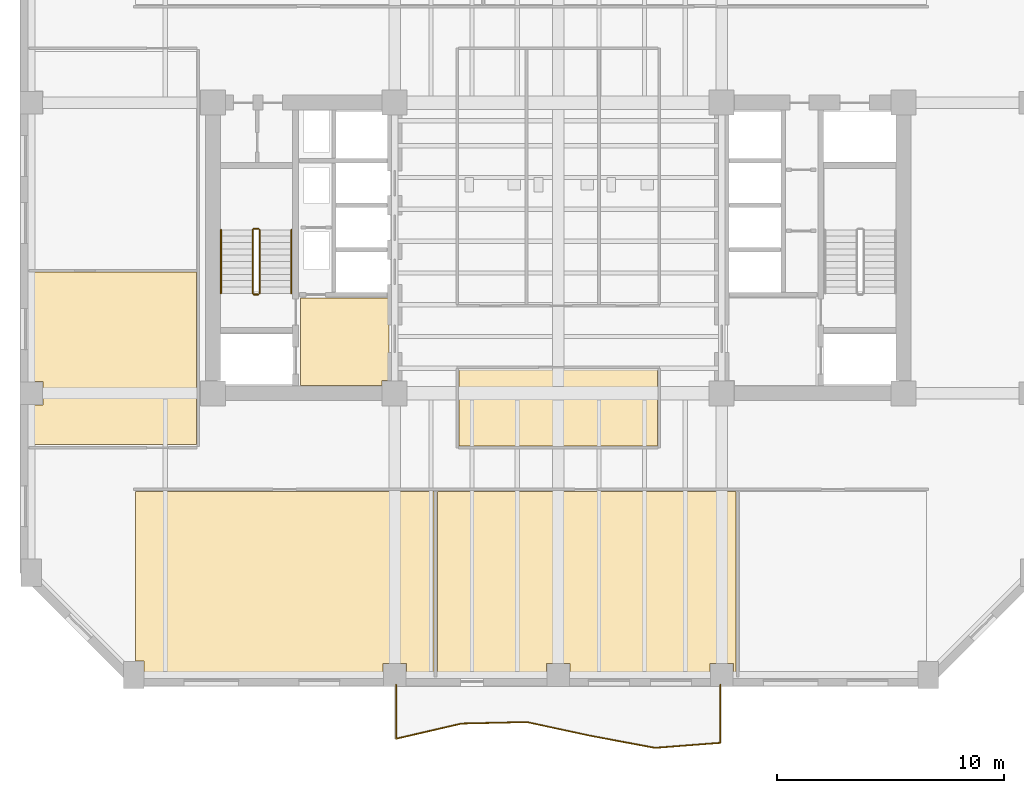
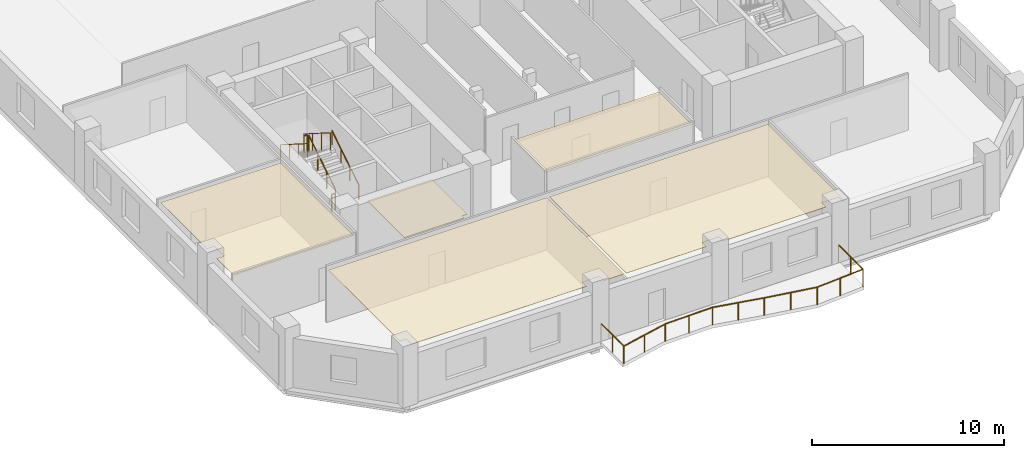
# One storey, part 6 of 10: 7 railings, 5 coverings.
"""IFC4 building model written with IfcOpenShell, lengths in metres."""

from ifc_helpers import new_model, si_unit, direction, frame, origin, origin_2d, place, context, subcontext, project, spatial, polyline, circle, outline, extrude, material, layer, layer_set, type_object, element, save


model = new_model("IFC4")

# Units and contexts
model_context = context("Model", 3, precision=1e-05, world=origin(), true_north=direction((0.0, 1.0)))
body_context = subcontext(model_context, "Body", "Model", "MODEL_VIEW")
ifc_project = project(units=[si_unit("LENGTHUNIT", "METRE"), si_unit("AREAUNIT", "SQUARE_METRE"), si_unit("VOLUMEUNIT", "CUBIC_METRE"), si_unit("PLANEANGLEUNIT", "RADIAN"), si_unit("MASSUNIT", "GRAM", prefix="KILO")], contexts=[model_context])

# Site, building, storey
site_placement = place(None, origin())
site = spatial("IfcSite", under=ifc_project, at=site_placement, CompositionType="ELEMENT")
building_placement = place(site_placement, origin())
building = spatial("IfcBuilding", under=site, at=building_placement, Name="Kranthara Brick Stack", CompositionType="ELEMENT")
storey_placement = place(building_placement, frame((0.0, 0.0, 98.39990234375)))
storey = spatial("IfcBuildingStorey", under=building, at=storey_placement, Name="L24", CompositionType="ELEMENT", Elevation=98.39990234375)

# Coverings
ifc_material_1 = material(Name="Perforated mineral-fibre acoustic ceiling tile", Category="other")
ifc_layer_1 = layer(ifc_material_1, 0.02490234375)
ifc_layer_set_1 = layer_set([ifc_layer_1], Name="Perforated mineral-fibre acoustic ceiling tile")
covering_type_1 = type_object("IfcCoveringType", Name="COV-CEIL-ACOUSTIC", PredefinedType="CEILING", material=ifc_layer_set_1)
covering_1_placement = place(storey_placement, frame((0.0, 0.0, 3.330078125)))
element("IfcCovering", 1, at=covering_1_placement, inside=storey, type_object=covering_type_1, Name="L24 L24 Central Executive Briefing Room Acoustic Ceiling", PredefinedType="CEILING", context=body_context, shape_type="SweptSolid", body=[
    extrude(outline(polyline([(32.3701171875, 18.47998046875), (32.3701171875, 21.8798828125), (23.6298828125, 21.8798828125), (23.6298828125, 18.47998046875), (32.3701171875, 18.47998046875)])), origin(), (0.0, 0.0, 1.0), 0.02490234375),
])
covering_2_placement = place(storey_placement, frame((0.0, 0.0, 3.330078125)))
element("IfcCovering", 2, at=covering_2_placement, inside=storey, type_object=covering_type_1, Name="L24 L24 Open Plan Workspace 1 Acoustic Ceiling", PredefinedType="CEILING", context=body_context, shape_type="SweptSolid", body=[
    extrude(outline(polyline([(22.52001953125, 16.47998046875), (22.52001953125, 8.469970703125), (21.31005859375, 8.469970703125), (21.31005859375, 8.909912109375), (20.2900390625, 8.909912109375), (20.2900390625, 8.469970703125), (9.760009765625, 8.469970703125), (9.760009765625, 9.010009765625), (9.3798828125, 9.010009765625), (9.3798828125, 16.47998046875), (22.52001953125, 16.47998046875)])), origin(), (0.0, 0.0, 1.0), 0.02490234375),
])
covering_3_placement = place(storey_placement, frame((0.0, 0.0, 3.330078125)))
element("IfcCovering", 3, at=covering_3_placement, inside=storey, type_object=covering_type_1, Name="L24 L24 Collaboration Lounge 2 Acoustic Ceiling", PredefinedType="CEILING", context=body_context, shape_type="SweptSolid", body=[
    extrude(outline(polyline([(22.679931640625, 16.47998046875), (35.820068359375, 16.47998046875), (35.820068359375, 8.469970703125), (35.7099609375, 8.469970703125), (35.7099609375, 8.909912109375), (34.68994140625, 8.909912109375), (34.68994140625, 8.469970703125), (28.510009765625, 8.469970703125), (28.510009765625, 8.909912109375), (27.489990234375, 8.909912109375), (27.489990234375, 8.469970703125), (22.679931640625, 8.469970703125), (22.679931640625, 16.47998046875)])), origin(), (0.0, 0.0, 1.0), 0.02490234375),
])
covering_4_placement = place(storey_placement, frame((0.0, 0.0, 3.330078125)))
element("IfcCovering", 4, at=covering_4_placement, inside=storey, type_object=covering_type_1, Name="L24 L24 West Executive Office 1 Acoustic Ceiling", PredefinedType="CEILING", context=body_context, shape_type="SweptSolid", body=[
    extrude(outline(polyline([(4.8701171875, 26.139892578125), (12.080078125, 26.139892578125), (12.080078125, 18.5400390625), (4.8701171875, 18.5400390625), (4.8701171875, 20.2900390625), (5.31005859375, 20.2900390625), (5.31005859375, 21.31005859375), (4.8701171875, 21.31005859375), (4.8701171875, 26.139892578125)])), origin(), (0.0, 0.0, 1.0), 0.02490234375),
])
ifc_material_2 = material(Name="Honed terrazzo and porcelain floor finish", Category="stone")
ifc_layer_2 = layer(ifc_material_2, 0.030029296875)
ifc_layer_set_2 = layer_set([ifc_layer_2], Name="Honed terrazzo and porcelain floor finish")
covering_type_2 = type_object("IfcCoveringType", Name="COV-FLOR-STONE", PredefinedType="FLOORING", material=ifc_layer_set_2)
covering_5_placement = place(storey_placement, origin())
element("IfcCovering", 5, at=covering_5_placement, inside=storey, type_object=covering_type_2, Name="L24 Lift Lobby Stone Flooring", PredefinedType="FLOORING", context=body_context, shape_type="SweptSolid", body=[
    extrude(outline(polyline([(16.64990234375, 21.14990234375), (16.64990234375, 25.0), (20.550048828125, 25.0), (20.550048828125, 21.360107421875), (20.239990234375, 21.360107421875), (20.239990234375, 21.14990234375), (16.64990234375, 21.14990234375)])), origin(), (0.0, 0.0, 1.0), 0.030029296875),
])

# Railings
ifc_material_3 = material(Name="Bronze anodised aluminium and laminated glass balustrade", Category="aluminium")
railing_type_1 = type_object("IfcRailingType", Name="RL-BALC-1120", PredefinedType="BALUSTRADE", material=ifc_material_3)
railing_1_placement = place(storey_placement, frame((35.139892578125, 7.9599609375, 0.0)))
element("IfcRailing", 6, at=railing_1_placement, inside=storey, type_object=railing_type_1, Name="L24 South Rippling Balcony Balustrade", PredefinedType="BALUSTRADE", context=body_context, shape_type="SweptSolid", body=[
    extrude(circle(Radius=0.02392578125, at=origin_2d()), frame((0.0, 0.0, 1.09619140625), z_axis=(0.000191222867, -0.999999981717, 0.0), x_axis=(0.999999981717, 0.000191222867, 0.0)), (0.0, 0.0, 1.0), 2.553466796875),
    extrude(circle(Radius=0.02392578125, at=origin_2d()), frame((0.00048828125, -2.553466796875, 1.09619140625), z_axis=(-0.997092666857, -0.076198515084, 0.0), x_axis=(0.076198515084, -0.997092666857, 0.0)), (0.0, 0.0, 1.0), 2.88671875),
    extrude(circle(Radius=0.02392578125, at=origin_2d()), frame((-2.8779296875, -2.7734375, 1.09619140625), z_axis=(-0.982933495872, 0.183961253236, 0.0), x_axis=(-0.183961253236, -0.982933495872, 0.0)), (0.0, 0.0, 1.0), 2.927734375),
    extrude(circle(Radius=0.02392578125, at=origin_2d()), frame((-5.755615234375, -2.23486328125, 1.09619140625), z_axis=(-0.97741416544, 0.211332792528, 0.0), x_axis=(-0.211332792528, -0.97741416544, 0.0)), (0.0, 0.0, 1.0), 2.828125),
    extrude(circle(Radius=0.02392578125, at=origin_2d()), frame((-8.519775390625, -1.63720703125, 1.09619140625), z_axis=(-0.999728409059, -0.023304680215, 0.0), x_axis=(0.023304680215, -0.999728409059, 0.0)), (0.0, 0.0, 1.0), 2.880859375),
    extrude(circle(Radius=0.02392578125, at=origin_2d()), frame((-11.39990234375, -1.704345703125, 1.09619140625), z_axis=(-0.974148490329, -0.225908651427, 0.0), x_axis=(0.225908651427, -0.974148490329, 0.0)), (0.0, 0.0, 1.0), 2.956787109375),
    extrude(circle(Radius=0.02392578125, at=origin_2d()), frame((-14.2802734375, -2.372314453125, 1.09619140625), z_axis=(0.000205824839, 0.999999978818, 0.0), x_axis=(-0.999999978818, 0.000205824839, 0.0)), (0.0, 0.0, 1.0), 2.372314453125),
    extrude(circle(Radius=0.02099609375, at=origin_2d()), origin(), (0.0, 0.0, 1.0), 1.072021484375),
    extrude(circle(Radius=0.02099609375, at=origin_2d()), frame((0.000244140625, -1.27685546875, 0.0)), (0.0, 0.0, 1.0), 1.072021484375),
    extrude(circle(Radius=0.02099609375, at=origin_2d()), frame((0.00048828125, -2.553466796875, 0.0)), (0.0, 0.0, 1.0), 1.072021484375),
    extrude(circle(Radius=0.02099609375, at=origin_2d()), frame((-1.438720703125, -2.66357421875, 0.0)), (0.0, 0.0, 1.0), 1.072021484375),
    extrude(circle(Radius=0.02099609375, at=origin_2d()), frame((-2.8779296875, -2.7734375, 0.0)), (0.0, 0.0, 1.0), 1.072021484375),
    extrude(circle(Radius=0.02099609375, at=origin_2d()), frame((-4.31689453125, -2.504150390625, 0.0)), (0.0, 0.0, 1.0), 1.072021484375),
    extrude(circle(Radius=0.02099609375, at=origin_2d()), frame((-5.755615234375, -2.23486328125, 0.0)), (0.0, 0.0, 1.0), 1.072021484375),
    extrude(circle(Radius=0.02099609375, at=origin_2d()), frame((-7.1376953125, -1.93603515625, 0.0)), (0.0, 0.0, 1.0), 1.072021484375),
    extrude(circle(Radius=0.02099609375, at=origin_2d()), frame((-8.519775390625, -1.63720703125, 0.0)), (0.0, 0.0, 1.0), 1.072021484375),
    extrude(circle(Radius=0.02099609375, at=origin_2d()), frame((-9.9599609375, -1.6708984375, 0.0)), (0.0, 0.0, 1.0), 1.072021484375),
    extrude(circle(Radius=0.02099609375, at=origin_2d()), frame((-11.39990234375, -1.704345703125, 0.0)), (0.0, 0.0, 1.0), 1.072021484375),
    extrude(circle(Radius=0.02099609375, at=origin_2d()), frame((-12.840087890625, -2.038330078125, 0.0)), (0.0, 0.0, 1.0), 1.072021484375),
    extrude(circle(Radius=0.02099609375, at=origin_2d()), frame((-14.2802734375, -2.372314453125, 0.0)), (0.0, 0.0, 1.0), 1.072021484375),
    extrude(circle(Radius=0.02099609375, at=origin_2d()), frame((-14.280029296875, -1.18603515625, 0.0)), (0.0, 0.0, 1.0), 1.072021484375),
    extrude(circle(Radius=0.02099609375, at=origin_2d()), frame((-14.27978515625, 0.0, 0.0)), (0.0, 0.0, 1.0), 1.072021484375),
])
ifc_material_4 = material(Name="Painted galvanized steel stair guardrail", Category="steel")
railing_type_2 = type_object("IfcRailingType", Name="RL-STAIR-GUARD-1100", PredefinedType="GUARDRAIL", material=ifc_material_4)
railing_2_placement = place(storey_placement, frame((14.85009765625, 25.199951171875, 0.177490234375)))
element("IfcRailing", 7, at=railing_2_placement, inside=storey, type_object=railing_type_2, Name="L24 ST01 stair guard 1", PredefinedType="GUARDRAIL", context=body_context, shape_type="SweptSolid", body=[
    extrude(circle(Radius=0.02392578125, at=origin_2d()), frame((0.0, 0.0, 1.076171875), z_axis=(0.0, 0.844908973607, 0.534910110503), x_axis=(-1.0, 0.0, 0.0)), (0.0, 0.0, 1.0), 3.31396484375),
    extrude(circle(Radius=0.02099609375, at=origin_2d()), origin(), (0.0, 0.0, 1.0), 1.052001953125),
    extrude(circle(Radius=0.02099609375, at=origin_2d()), frame((0.0, 0.933349609375, 0.5908203125)), (0.0, 0.0, 1.0), 1.052001953125),
    extrude(circle(Radius=0.02099609375, at=origin_2d()), frame((0.0, 1.86669921875, 1.181884765625)), (0.0, 0.0, 1.0), 1.052001953125),
    extrude(circle(Radius=0.02099609375, at=origin_2d()), frame((0.0, 2.800048828125, 1.772705078125)), (0.0, 0.0, 1.0), 1.052001953125),
])
railing_3_placement = place(storey_placement, frame((14.800048828125, 28.050048828125, 1.9501953125)))
element("IfcRailing", 8, at=railing_3_placement, inside=storey, type_object=railing_type_2, Name="L24 ST01 stair guard 2", PredefinedType="GUARDRAIL", context=body_context, shape_type="SweptSolid", body=[
    extrude(circle(Radius=0.02392578125, at=origin_2d()), frame((0.0, 0.0, 1.076171875), z_axis=(-1.0, 0.0, 0.0), x_axis=(0.0, -1.0, 0.0)), (0.0, 0.0, 1.0), 0.199951171875),
    extrude(circle(Radius=0.02099609375, at=origin_2d()), origin(), (0.0, 0.0, 1.0), 1.052001953125),
    extrude(circle(Radius=0.02099609375, at=origin_2d()), frame((-0.199951171875, 0.0, 0.0)), (0.0, 0.0, 1.0), 1.052001953125),
])
railing_4_placement = place(storey_placement, frame((14.550048828125, 28.0, 2.12744140625)))
element("IfcRailing", 9, at=railing_4_placement, inside=storey, type_object=railing_type_2, Name="L24 ST01 stair guard 3", PredefinedType="GUARDRAIL", context=body_context, shape_type="SweptSolid", body=[
    extrude(circle(Radius=0.02392578125, at=origin_2d()), frame((0.0, 0.0, 1.076171875), z_axis=(0.0, -0.844908973607, 0.534910110503), x_axis=(1.0, 0.0, 0.0)), (0.0, 0.0, 1.0), 3.31396484375),
    extrude(circle(Radius=0.02099609375, at=origin_2d()), origin(), (0.0, 0.0, 1.0), 1.052001953125),
    extrude(circle(Radius=0.02099609375, at=origin_2d()), frame((0.0, -0.933349609375, 0.5908203125)), (0.0, 0.0, 1.0), 1.052001953125),
    extrude(circle(Radius=0.02099609375, at=origin_2d()), frame((0.0, -1.86669921875, 1.181884765625)), (0.0, 0.0, 1.0), 1.052001953125),
    extrude(circle(Radius=0.02099609375, at=origin_2d()), frame((0.0, -2.800048828125, 1.772705078125)), (0.0, 0.0, 1.0), 1.052001953125),
])
railing_5_placement = place(storey_placement, frame((14.800048828125, 25.14990234375, 0.0)))
element("IfcRailing", 10, at=railing_5_placement, inside=storey, type_object=railing_type_2, Name="L24 ST01 stair guard 4", PredefinedType="GUARDRAIL", context=body_context, shape_type="SweptSolid", body=[
    extrude(circle(Radius=0.02392578125, at=origin_2d()), frame((0.0, 0.0, 1.076171875), z_axis=(-1.0, 0.0, 0.0), x_axis=(0.0, -1.0, 0.0)), (0.0, 0.0, 1.0), 0.199951171875),
    extrude(circle(Radius=0.02099609375, at=origin_2d()), origin(), (0.0, 0.0, 1.0), 1.052001953125),
    extrude(circle(Radius=0.02099609375, at=origin_2d()), frame((-0.199951171875, 0.0, 0.0)), (0.0, 0.0, 1.0), 1.052001953125),
])
ifc_material_5 = material(Name="Brushed stainless steel tubular handrail", Category="steel")
railing_type_3 = type_object("IfcRailingType", Name="RL-STAIR-HAND-900", PredefinedType="HANDRAIL", material=ifc_material_5)
railing_6_placement = place(storey_placement, frame((16.25, 25.199951171875, 0.177490234375)))
element("IfcRailing", 11, at=railing_6_placement, inside=storey, type_object=railing_type_3, Name="L24 ST01 stair handrail 1", PredefinedType="HANDRAIL", context=body_context, shape_type="SweptSolid", body=[
    extrude(circle(Radius=0.02392578125, at=origin_2d()), frame((0.0, 0.0, 0.8759765625), z_axis=(0.0, 0.844908973607, 0.534910110503), x_axis=(-1.0, 0.0, 0.0)), (0.0, 0.0, 1.0), 3.31396484375),
    extrude(circle(Radius=0.02099609375, at=origin_2d()), origin(), (0.0, 0.0, 1.0), 0.851806640625),
    extrude(circle(Radius=0.02099609375, at=origin_2d()), frame((0.0, 0.933349609375, 0.5908203125)), (0.0, 0.0, 1.0), 0.851806640625),
    extrude(circle(Radius=0.02099609375, at=origin_2d()), frame((0.0, 1.86669921875, 1.181884765625)), (0.0, 0.0, 1.0), 0.851806640625),
    extrude(circle(Radius=0.02099609375, at=origin_2d()), frame((0.0, 2.800048828125, 1.772705078125)), (0.0, 0.0, 1.0), 0.851806640625),
])
railing_7_placement = place(storey_placement, frame((13.14990234375, 28.0, 2.12744140625)))
element("IfcRailing", 12, at=railing_7_placement, inside=storey, type_object=railing_type_3, Name="L24 ST01 stair handrail 2", PredefinedType="HANDRAIL", context=body_context, shape_type="SweptSolid", body=[
    extrude(circle(Radius=0.02392578125, at=origin_2d()), frame((0.0, 0.0, 0.8759765625), z_axis=(0.0, -0.844908973607, 0.534910110503), x_axis=(1.0, 0.0, 0.0)), (0.0, 0.0, 1.0), 3.31396484375),
    extrude(circle(Radius=0.02099609375, at=origin_2d()), origin(), (0.0, 0.0, 1.0), 0.851806640625),
    extrude(circle(Radius=0.02099609375, at=origin_2d()), frame((0.0, -0.933349609375, 0.5908203125)), (0.0, 0.0, 1.0), 0.851806640625),
    extrude(circle(Radius=0.02099609375, at=origin_2d()), frame((0.0, -1.86669921875, 1.181884765625)), (0.0, 0.0, 1.0), 0.851806640625),
    extrude(circle(Radius=0.02099609375, at=origin_2d()), frame((0.0, -2.800048828125, 1.772705078125)), (0.0, 0.0, 1.0), 0.851806640625),
])

save(model, "model.ifc")
